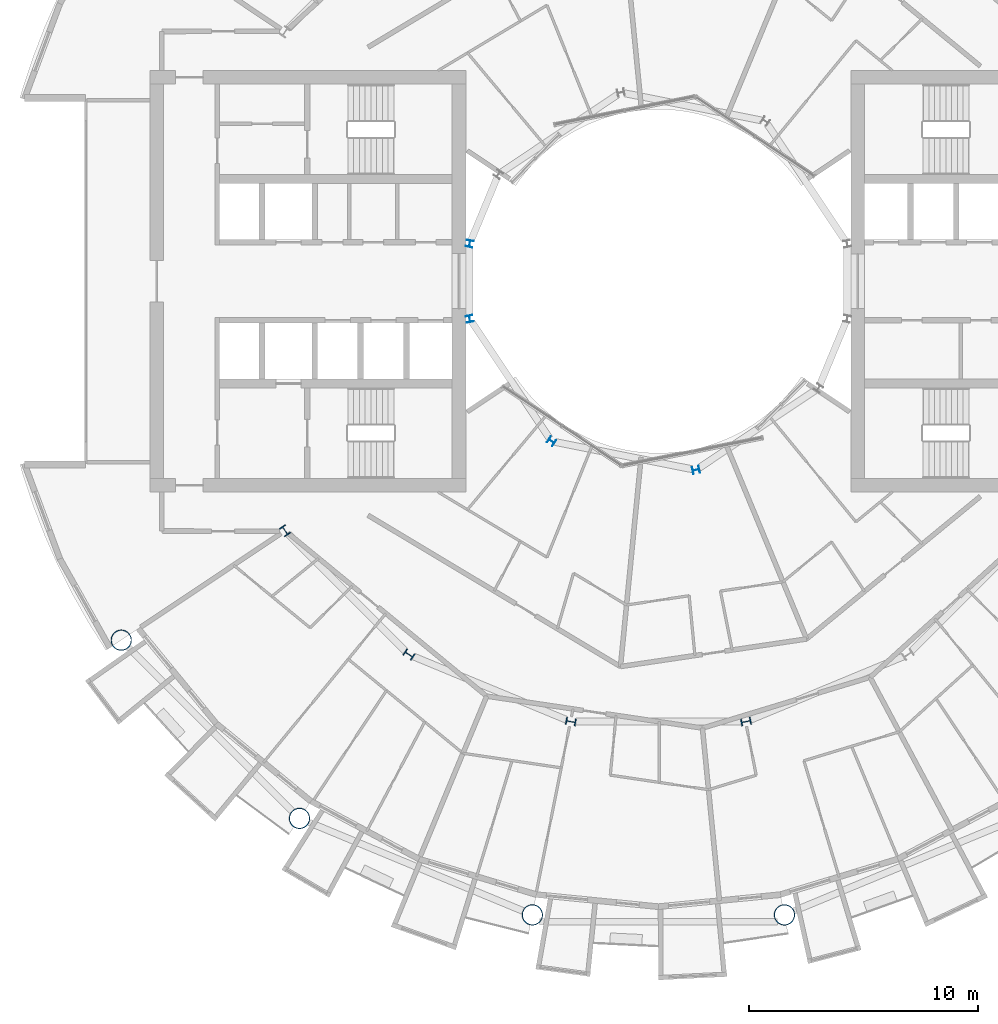
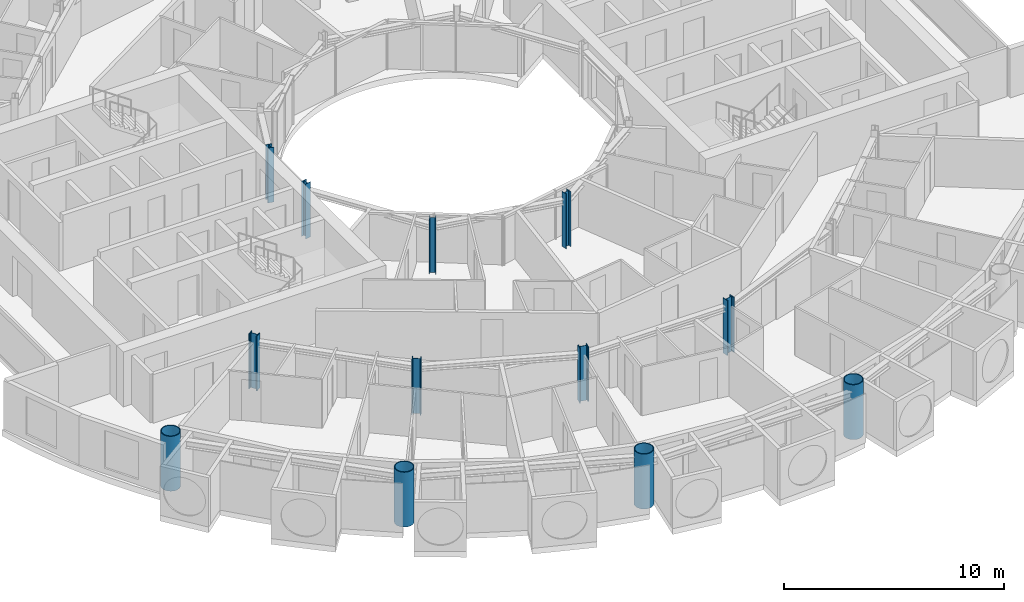
# One storey, part 1 of 28: 12 columns.
"""IFC4 building model written with IfcOpenShell, lengths in metres."""

from ifc_helpers import new_model, si_unit, direction, frame, origin, origin_2d, place, context, subcontext, project, spatial, hollow_circle, i_section, extrude, material, material_profile, profile_set, type_object, element, save


model = new_model("IFC4")

# Units and contexts
model_context = context("Model", 3, precision=1e-05, world=origin(), true_north=direction((0.0, 1.0)))
body_context = subcontext(model_context, "Body", "Model", "MODEL_VIEW")
ifc_project = project(units=[si_unit("LENGTHUNIT", "METRE"), si_unit("AREAUNIT", "SQUARE_METRE"), si_unit("VOLUMEUNIT", "CUBIC_METRE"), si_unit("PLANEANGLEUNIT", "RADIAN"), si_unit("MASSUNIT", "GRAM", prefix="KILO")], contexts=[model_context])

# Site, building, storey
site_placement = place(None, origin())
site = spatial("IfcSite", under=ifc_project, at=site_placement, CompositionType="ELEMENT")
building_placement = place(site_placement, origin())
building = spatial("IfcBuilding", under=site, at=building_placement, Name="Maasbend Ring Residences", CompositionType="ELEMENT")
storey_placement = place(building_placement, frame((0.0, 0.0, 133.0)))
storey = spatial("IfcBuildingStorey", under=building, at=storey_placement, Name="L38", CompositionType="ELEMENT", Elevation=133.0)

# Columns
ifc_material_1 = material(Name="Composite concrete-filled steel tube S460NH / C80/95", Category="concrete")
ifc_material_profile_1 = material_profile(ifc_material_1, hollow_circle(Radius=0.45703125, WallThickness=0.0400390625, at=origin_2d()), Name="Composite tube column CHS 914x40")
ifc_profile_set_1 = profile_set([ifc_material_profile_1], Name="Composite concrete-filled steel tube S460NH / C80/95")
column_type_1 = type_object("IfcColumnType", Name="Composite tube column CHS 914x40", PredefinedType="COLUMN", material=ifc_profile_set_1)
for number, where, z_axis, x_axis, name in (
    (1, (-23.447509765625, -15.6669921875, 0.0), (0.0, 0.0, 1.0), (1.0, 0.0, 0.0), "Outer column R10"),
    (2, (-15.6669921875, -23.447509765625, 0.0), (0.0, 0.0, 1.0), (1.0, 0.0, 0.0), "Outer column R11"),
    (3, (-5.50146484375, -27.658203125, 0.0), (0.0, 0.0, 1.0), (1.0, 0.0, 0.0), "Outer column R12"),
    (4, (5.50146484375, -27.658203125, 0.0), (0.0, 0.0, 1.0), (1.0, 0.0, 0.0), "Outer column R13"),
):
    element("IfcColumn", number, at=place(storey_placement, frame(where, z_axis=z_axis, x_axis=x_axis)), inside=storey, type_object=column_type_1, Name=name, PredefinedType="COLUMN", context=body_context, shape_type="SweptSolid", body=[
        extrude(hollow_circle(Radius=0.45703125, WallThickness=0.0400390625, at=origin_2d()), origin(), (0.0, 0.0, 1.0), 3.050048828125),
    ])
ifc_material_2 = material(Name="Steel S355J2", Category="steel")
ifc_material_profile_2 = material_profile(ifc_material_2, i_section(OverallWidth=0.300048828125, OverallDepth=0.300048828125, WebThickness=0.010986328125, FlangeThickness=0.01904296875, FilletRadius=0.027099609375, at=origin_2d()), Name="HEB 300")
ifc_profile_set_2 = profile_set([ifc_material_profile_2], Name="Steel S355J2")
column_type_2 = type_object("IfcColumnType", Name="Steel column HEB 300", PredefinedType="COLUMN", material=ifc_profile_set_2)
for number, where, z_axis, x_axis, name in (
    (5, (-8.238525390625, 1.638916015625, 0.0), (0.0, 0.0, 1.0), (-0.980785280403, 0.195090322016, 0.0), "Well ring column R8"),
    (6, (-8.238525390625, -1.638916015625, 0.0), (0.0, 0.0, 1.0), (-0.980785280403, -0.195090322016, 0.0), "Well ring column R9"),
    (7, (-4.666748046875, -6.984375, 0.0), (0.0, 0.0, 1.0), (-0.55557023302, -0.831469612303, 0.0), "Well ring column R11"),
    (8, (1.638916015625, -8.238525390625, 0.0), (0.0, 0.0, 1.0), (0.195090322016, -0.980785280403, 0.0), "Well ring column R13"),
):
    element("IfcColumn", number, at=place(storey_placement, frame(where, z_axis=z_axis, x_axis=x_axis)), inside=storey, type_object=column_type_2, Name=name, PredefinedType="COLUMN", context=body_context, shape_type="SweptSolid", body=[
        extrude(i_section(OverallWidth=0.300048828125, OverallDepth=0.300048828125, WebThickness=0.010986328125, FlangeThickness=0.01904296875, FilletRadius=0.027099609375, at=origin_2d()), origin(), (0.0, 0.0, 1.0), 3.050048828125),
    ])
ifc_material_3 = material(Name="Steel S460M", Category="steel")
ifc_material_profile_3 = material_profile(ifc_material_3, i_section(OverallWidth=0.306884765625, OverallDepth=0.431884765625, WebThickness=0.02099609375, FlangeThickness=0.0400390625, FilletRadius=0.027099609375, at=origin_2d()), Name="HEM 400")
ifc_profile_set_3 = profile_set([ifc_material_profile_3], Name="Steel S460M")
column_type_3 = type_object("IfcColumnType", Name="Steel column HEM 400", PredefinedType="COLUMN", material=ifc_profile_set_3)
for number, where, z_axis, x_axis, name in (
    (9, (-16.296875, -10.88916015625, 0.0), (0.0, 0.0, 1.0), (-0.831469612303, -0.55557023302, 0.0), "Corridor ring column R10"),
    (10, (-10.88916015625, -16.296875, 0.0), (0.0, 0.0, 1.0), (-0.55557023302, -0.831469612303, 0.0), "Corridor ring column R11"),
    (11, (-3.82373046875, -19.223388671875, 0.0), (0.0, 0.0, 1.0), (-0.195090322016, -0.980785280403, 0.0), "Corridor ring column R12"),
    (12, (3.82373046875, -19.223388671875, 0.0), (0.0, 0.0, 1.0), (0.195090322016, -0.980785280403, 0.0), "Corridor ring column R13"),
):
    element("IfcColumn", number, at=place(storey_placement, frame(where, z_axis=z_axis, x_axis=x_axis)), inside=storey, type_object=column_type_3, Name=name, PredefinedType="COLUMN", context=body_context, shape_type="SweptSolid", body=[
        extrude(i_section(OverallWidth=0.306884765625, OverallDepth=0.431884765625, WebThickness=0.02099609375, FlangeThickness=0.0400390625, FilletRadius=0.027099609375, at=origin_2d()), origin(), (0.0, 0.0, 1.0), 3.050048828125),
    ])

save(model, "model.ifc")
